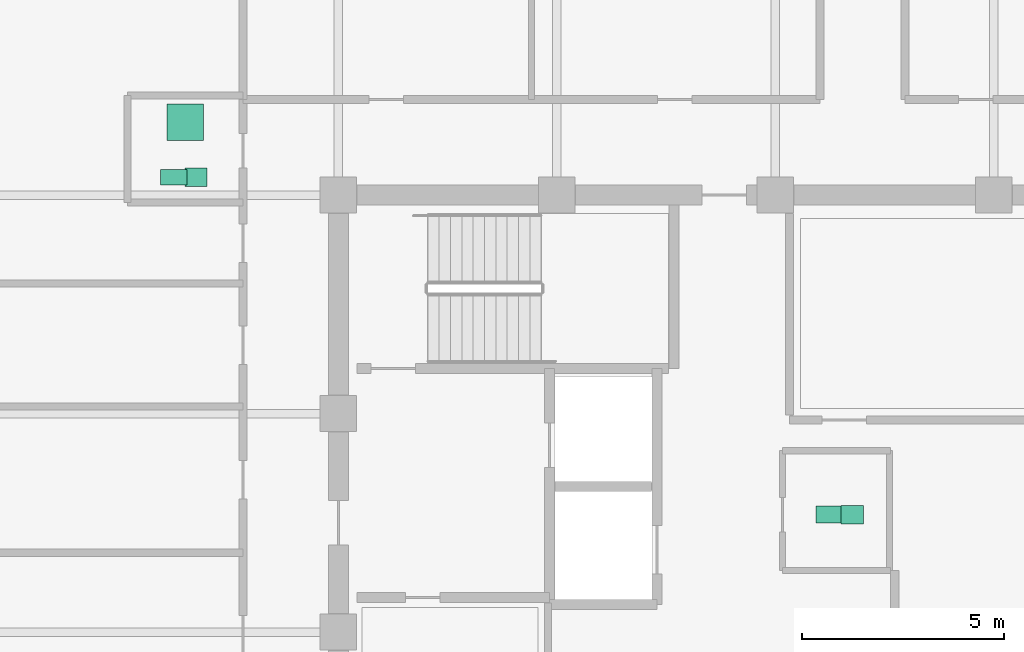
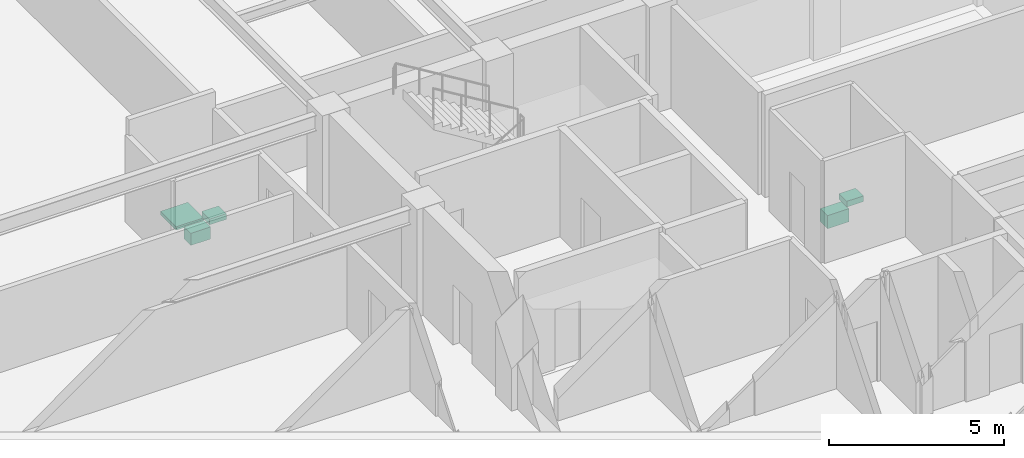
# One storey, part 30 of 30: 5 sanitary terminals.
"""IFC4 building model written with IfcOpenShell, lengths in metres."""

from ifc_helpers import new_model, si_unit, direction, frame, origin, origin_2d, place, context, subcontext, project, spatial, rectangle, extrude, material, type_object, element, save


model = new_model("IFC4")

# Units and contexts
model_context = context("Model", 3, precision=1e-05, world=origin(), true_north=direction((0.0, 1.0)))
body_context = subcontext(model_context, "Body", "Model", "MODEL_VIEW")
ifc_project = project(units=[si_unit("LENGTHUNIT", "METRE"), si_unit("AREAUNIT", "SQUARE_METRE"), si_unit("VOLUMEUNIT", "CUBIC_METRE"), si_unit("PLANEANGLEUNIT", "RADIAN"), si_unit("MASSUNIT", "GRAM", prefix="KILO")], contexts=[model_context])

# Site, building, storey
site_placement = place(None, origin())
site = spatial("IfcSite", under=ifc_project, at=site_placement, CompositionType="ELEMENT")
building_placement = place(site_placement, origin())
building = spatial("IfcBuilding", under=site, at=building_placement, Name="Surkhivell Harbour Commons", CompositionType="ELEMENT")
storey_placement = place(building_placement, frame((0.0, 0.0, 292.5)))
storey = spatial("IfcBuildingStorey", under=building, at=storey_placement, Name="L76", CompositionType="ELEMENT", Elevation=292.5)

# Sanitary terminals
ifc_material_1 = material(Name="Vitreous china washbasin", Category="other")
sanitary_terminal_type_1 = type_object("IfcSanitaryTerminalType", Name="SAN-BSN", PredefinedType="WASHHANDBASIN", material=ifc_material_1)
for number, where, z_axis, x_axis, name in (
    (1, (1.89990234375, 2.89990234375, 0.72021484375), (0.0, 0.0, 1.0), (1.0, 0.0, 0.0), "L76 Core Accessible WC Washbasin"),
    (2, (-14.320068359375, 11.239990234375, 0.72021484375), (0.0, 0.0, 1.0), (1.0, 0.0, 0.0), "L76 West Communal Bathroom WC Washbasin"),
):
    element("IfcSanitaryTerminal", number, at=place(storey_placement, frame(where, z_axis=z_axis, x_axis=x_axis)), inside=storey, type_object=sanitary_terminal_type_1, Name=name, PredefinedType="WASHHANDBASIN", context=body_context, shape_type="SweptSolid", body=[
        extrude(rectangle(XDim=0.550048828125, YDim=0.449951171875, at=origin_2d()), origin(), (0.0, 0.0, 1.0), 0.199951171875),
    ])
ifc_material_2 = material(Name="Glazed porcelain shower tray", Category="other")
sanitary_terminal_type_2 = type_object("IfcSanitaryTerminalType", Name="SAN-SHW", PredefinedType="SHOWER", material=ifc_material_2)
sanitary_terminal_1_placement = place(storey_placement, frame((-14.590087890625, 12.60009765625, 0.0), z_axis=(0.0, 0.0, 1.0), x_axis=(1.0, 0.0, 0.0)))
element("IfcSanitaryTerminal", 3, at=sanitary_terminal_1_placement, inside=storey, type_object=sanitary_terminal_type_2, Name="L76 West Communal Shower Tray", PredefinedType="SHOWER", context=body_context, shape_type="SweptSolid", body=[
    extrude(rectangle(XDim=0.89990234375, YDim=0.89990234375, at=origin_2d()), origin(), (0.0, 0.0, 1.0), 0.1201171875),
])
ifc_material_3 = material(Name="Vitreous china sanitaryware", Category="other")
sanitary_terminal_type_3 = type_object("IfcSanitaryTerminalType", Name="SAN-WC-ACC", PredefinedType="TOILETPAN", material=ifc_material_3)
sanitary_terminal_2_placement = place(storey_placement, frame((1.35009765625, 2.89990234375, 0.169921875), z_axis=(0.0, 0.0, 1.0), x_axis=(1.0, 0.0, 0.0)))
element("IfcSanitaryTerminal", 4, at=sanitary_terminal_2_placement, inside=storey, type_object=sanitary_terminal_type_3, Name="L76 Core Accessible WC", PredefinedType="TOILETPAN", context=body_context, shape_type="SweptSolid", body=[
    extrude(rectangle(XDim=0.699951171875, YDim=0.419921875, at=origin_2d()), origin(), (0.0, 0.0, 1.0), 0.4599609375),
])
sanitary_terminal_type_4 = type_object("IfcSanitaryTerminalType", Name="SAN-WC-STD", PredefinedType="TOILETPAN", material=ifc_material_3)
sanitary_terminal_3_placement = place(storey_placement, frame((-14.8701171875, 11.239990234375, 0.18994140625), z_axis=(0.0, 0.0, 1.0), x_axis=(1.0, 0.0, 0.0)))
element("IfcSanitaryTerminal", 5, at=sanitary_terminal_3_placement, inside=storey, type_object=sanitary_terminal_type_4, Name="L76 West Communal Bathroom WC", PredefinedType="TOILETPAN", context=body_context, shape_type="SweptSolid", body=[
    extrude(rectangle(XDim=0.64990234375, YDim=0.3798828125, at=origin_2d()), origin(), (0.0, 0.0, 1.0), 0.419921875),
])

save(model, "model.ifc")
